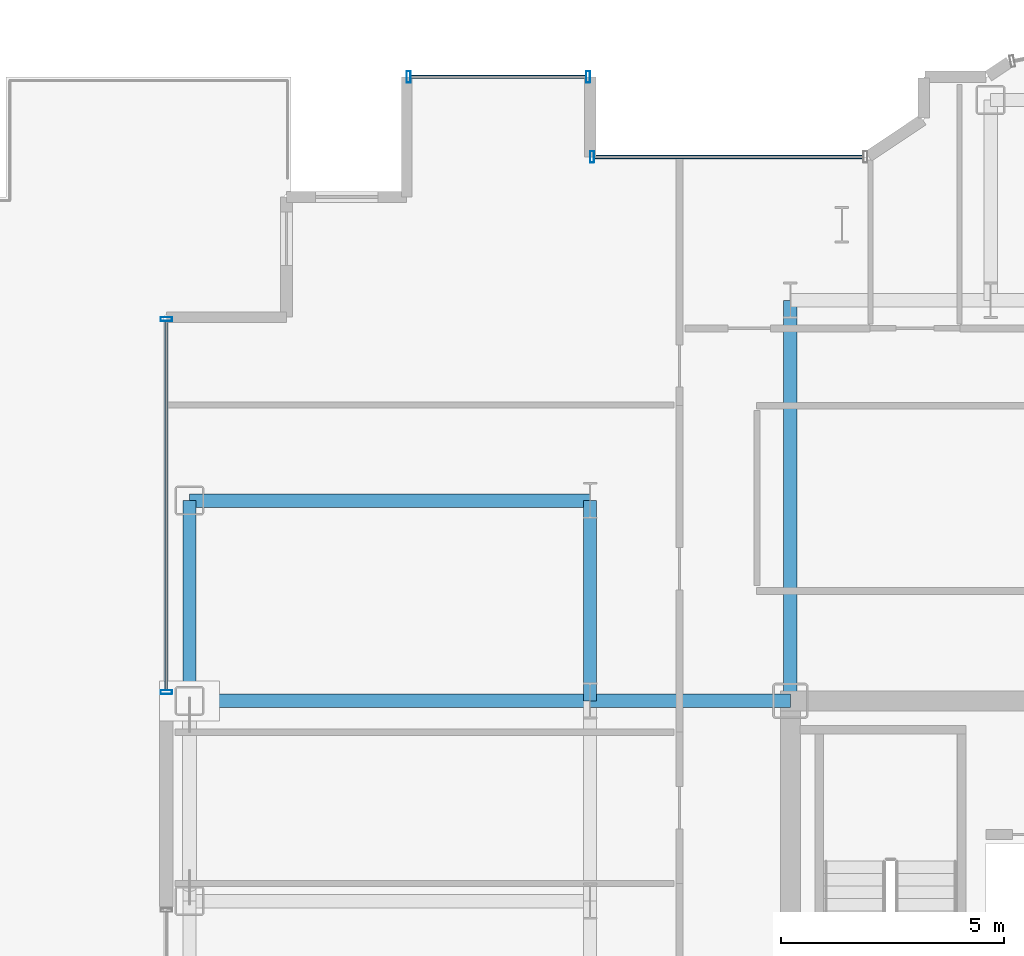
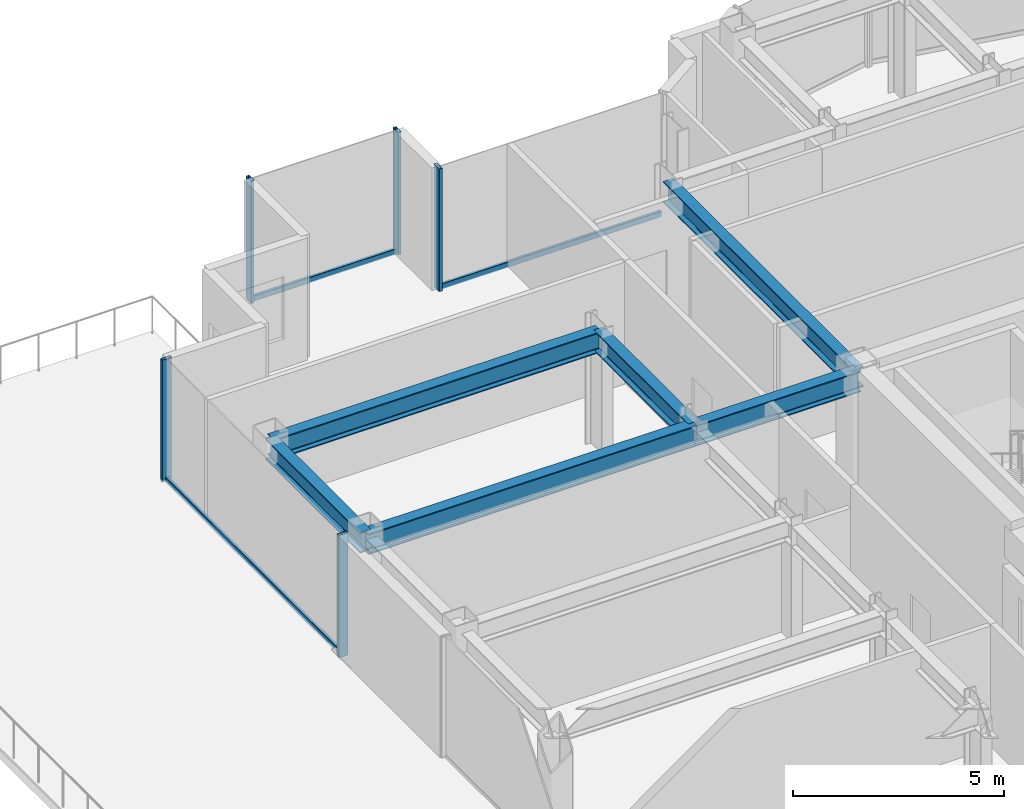
# One storey, part 8 of 21: 8 members, 6 beams, 3 elements without a shape of their own.
"""IFC4 building model written with IfcOpenShell, lengths in metres."""

from ifc_helpers import new_model, si_unit, direction, frame, origin, origin_2d, place, context, subcontext, project, spatial, hollow_rectangle, i_section, extrude, source, transform, mapped, material, layer, layer_set, material_profile, profile_set, type_object, element, aggregate, save


model = new_model("IFC4")

# Units and contexts
model_context = context("Model", 3, precision=1e-05, world=origin(), true_north=direction((0.0, 1.0)))
body_context = subcontext(model_context, "Body", "Model", "MODEL_VIEW")
ifc_project = project(units=[si_unit("LENGTHUNIT", "METRE"), si_unit("AREAUNIT", "SQUARE_METRE"), si_unit("VOLUMEUNIT", "CUBIC_METRE"), si_unit("PLANEANGLEUNIT", "RADIAN"), si_unit("MASSUNIT", "GRAM", prefix="KILO")], contexts=[model_context])

# Site, building, storey
site_placement = place(None, origin())
site = spatial("IfcSite", under=ifc_project, at=site_placement, CompositionType="ELEMENT")
building_placement = place(site_placement, origin())
building = spatial("IfcBuilding", under=site, at=building_placement, Name="Nefas-Gora Pilgrimage Tower", CompositionType="ELEMENT")
storey_placement = place(building_placement, frame((0.0, 0.0, 206.60009765625)))
storey = spatial("IfcBuildingStorey", under=building, at=storey_placement, Name="L51", CompositionType="ELEMENT", Elevation=206.60009765625)

# Beams
ifc_material_1 = material(Name="Steel S355", Category="steel")
ifc_material_profile_1 = material_profile(ifc_material_1, i_section(OverallWidth=0.300048828125, OverallDepth=0.60009765625, WebThickness=0.015380859375, FlangeThickness=0.030029296875, FilletRadius=0.027099609375, at=origin_2d()), Name="HEB 600")
ifc_profile_set_1 = profile_set([ifc_material_profile_1], Name="Steel S355")
beam_type_1 = type_object("IfcBeamType", Name="BM-SPN-HEB450", PredefinedType="SPANDREL", material=ifc_profile_set_1)
shared_shape_1 = source(origin(), body_context, "Body", "SweptSolid", [
    extrude(i_section(OverallWidth=0.300048828125, OverallDepth=0.60009765625, WebThickness=0.015380859375, FlangeThickness=0.030029296875, FilletRadius=0.027099609375, at=origin_2d()), origin(), (0.0, 0.0, 1.0), 4.5),
])
beam_placement = place(storey_placement, frame((-24.75, 9.0, 3.25), z_axis=(0.0, 1.0, 0.0), x_axis=(-1.0, 0.0, 0.0)))
element("IfcBeam", 1, at=beam_placement, inside=storey, type_object=beam_type_1, Name="L51 SP-03 beam", PredefinedType="SPANDREL", context=body_context, shape_type="MappedRepresentation", body=[
    mapped(shared_shape_1, transform((0.0, 0.0, 0.0), x_axis=(1.0, 0.0, 0.0), y_axis=(0.0, 1.0, 0.0), z_axis=(0.0, 0.0, 1.0), scale=1.0)),
])
ifc_material_profile_2 = material_profile(ifc_material_1, i_section(OverallWidth=0.300048828125, OverallDepth=0.60009765625, WebThickness=0.015380859375, FlangeThickness=0.030029296875, FilletRadius=0.027099609375, at=origin_2d()), Name="HEB 600")
ifc_profile_set_2 = profile_set([ifc_material_profile_2], Name="Steel S355")
beam_type_2 = type_object("IfcBeamType", Name="BM-GIR-HEB600", PredefinedType="BEAM", material=ifc_profile_set_2)
shared_shape_2 = source(origin(), body_context, "Body", "SweptSolid", [
    extrude(i_section(OverallWidth=0.300048828125, OverallDepth=0.60009765625, WebThickness=0.015380859375, FlangeThickness=0.030029296875, FilletRadius=0.027099609375, at=origin_2d()), origin(), (0.0, 0.0, 1.0), 9.0),
])
for number, where, z_axis, x_axis, name in (
    (2, (-24.75, 9.0, 3.25), (1.0, 0.0, 0.0), (0.0, 1.0, 0.0), "L51 G-04 beam"),
    (3, (-24.75, 13.5, 3.25), (1.0, 0.0, 0.0), (0.0, 1.0, 0.0), "L51 G-04 beam"),
    (4, (-11.25, 9.0, 3.25), (0.0, 1.0, 0.0), (-1.0, 0.0, 0.0), "L51 G-04 beam"),
):
    element("IfcBeam", number, at=place(storey_placement, frame(where, z_axis=z_axis, x_axis=x_axis)), inside=storey, type_object=beam_type_2, Name=name, PredefinedType="BEAM", context=body_context, shape_type="MappedRepresentation", body=[
        mapped(shared_shape_2, transform((0.0, 0.0, 0.0), x_axis=(1.0, 0.0, 0.0), y_axis=(0.0, 1.0, 0.0), z_axis=(0.0, 0.0, 1.0), scale=1.0)),
    ])
shared_shape_3 = source(origin(), body_context, "Body", "SweptSolid", [
    extrude(i_section(OverallWidth=0.300048828125, OverallDepth=0.60009765625, WebThickness=0.015380859375, FlangeThickness=0.030029296875, FilletRadius=0.027099609375, at=origin_2d()), origin(), (0.0, 0.0, 1.0), 4.5),
])
for number, where, z_axis, x_axis, name in (
    (5, (-15.75, 9.0, 3.25), (0.0, 1.0, 0.0), (-1.0, 0.0, 0.0), "L51 G-04 beam"),
    (6, (-15.75, 9.0, 3.25), (1.0, 0.0, 0.0), (0.0, 1.0, 0.0), "L51 G-04 beam"),
):
    element("IfcBeam", number, at=place(storey_placement, frame(where, z_axis=z_axis, x_axis=x_axis)), inside=storey, type_object=beam_type_2, Name=name, PredefinedType="BEAM", context=body_context, shape_type="MappedRepresentation", body=[
        mapped(shared_shape_3, transform((0.0, 0.0, 0.0), x_axis=(1.0, 0.0, 0.0), y_axis=(0.0, 1.0, 0.0), z_axis=(0.0, 0.0, 1.0), scale=1.0)),
    ])

# Curtain wall, members
ifc_material_2 = material(Name="Dark ceramic-fritted solar-control aluminium-glass curtain wall", Category="aluminium")
ifc_layer_1 = layer(ifc_material_2, 0.219970703125)
ifc_layer_set_1 = layer_set([ifc_layer_1], Name="Dark ceramic-fritted solar-control aluminium-glass curtain wall")
curtain_wall_type_1 = type_object("IfcCurtainWallType", Name="CW-SYS-5", PredefinedType="NOTDEFINED", material=ifc_layer_set_1)
curtain_wall_1_placement = place(storey_placement, origin())
curtain_wall_1 = element("IfcCurtainWall", 7, at=curtain_wall_1_placement, inside=storey, type_object=curtain_wall_type_1, Name="L51 Unitised Curtain Wall CW5", PredefinedType="NOTDEFINED")
ifc_material_3 = material(Name="Anodised architectural aluminium", Category="aluminium")
ifc_material_profile_3 = material_profile(ifc_material_3, hollow_rectangle(XDim=0.080078125, YDim=0.159912109375, WallThickness=0.00439453125, InnerFilletRadius=0.00439453125, OuterFilletRadius=0.009033203125, at=origin_2d()), Name="ALU TRANSOM 80x160")
ifc_profile_set_3 = profile_set([ifc_material_profile_3], Name="Anodised architectural aluminium")
member_type_1 = type_object("IfcMemberType", Name="CWM-TRN-5", PredefinedType="USERDEFINED", material=ifc_profile_set_3)
shared_shape_4 = source(origin(), body_context, "Body", "SweptSolid", [
    extrude(hollow_rectangle(XDim=0.080078125, YDim=0.159912109375, WallThickness=0.00439453125, InnerFilletRadius=0.00439453125, OuterFilletRadius=0.009033203125, at=origin_2d()), origin(), (0.0, 0.0, 1.0), 6.052001953125),
])
member_1_placement = place(storey_placement, frame((-9.60791015625, 21.219970703125, 0.0498046875), z_axis=(-1.0, 0.0, 0.0), x_axis=(0.0, -1.0, 0.0)))
member_1 = element("IfcMember", 8, at=member_1_placement, type_object=member_type_1, Name="CW5 Spandrel Transom", ObjectType="TRANSOM", PredefinedType="USERDEFINED", context=body_context, shape_type="MappedRepresentation", body=[
    mapped(shared_shape_4, transform((0.0, 0.0, 0.0), x_axis=(1.0, 0.0, 0.0), y_axis=(0.0, 1.0, 0.0), z_axis=(0.0, 0.0, 1.0), scale=1.0)),
])
ifc_material_profile_4 = material_profile(ifc_material_3, hollow_rectangle(XDim=0.090087890625, YDim=0.260009765625, WallThickness=0.006103515625, InnerFilletRadius=0.006103515625, OuterFilletRadius=0.011962890625, at=origin_2d()), Name="ALU MULLION 90x260")
ifc_profile_set_4 = profile_set([ifc_material_profile_4], Name="Anodised architectural aluminium")
member_type_2 = type_object("IfcMemberType", Name="CWM-MUL-5", PredefinedType="MULLION", material=ifc_profile_set_4)
shared_shape_5 = source(origin(), body_context, "Body", "SweptSolid", [
    extrude(hollow_rectangle(XDim=0.090087890625, YDim=0.260009765625, WallThickness=0.006103515625, InnerFilletRadius=0.006103515625, OuterFilletRadius=0.011962890625, at=origin_2d()), origin(), (0.0, 0.0, 1.0), 3.5498046875),
])
member_2_placement = place(storey_placement, frame((-15.705078125, 21.219970703125, 0.0), z_axis=(0.0, 0.0, 1.0), x_axis=(-1.0, 0.0, 0.0)))
member_2 = element("IfcMember", 9, at=member_2_placement, type_object=member_type_2, Name="CW5 Mullion 2", PredefinedType="MULLION", context=body_context, shape_type="MappedRepresentation", body=[
    mapped(shared_shape_5, transform((0.0, 0.0, 0.0), x_axis=(1.0, 0.0, 0.0), y_axis=(0.0, 1.0, 0.0), z_axis=(0.0, 0.0, 1.0), scale=1.0)),
])
aggregate(curtain_wall_1, [member_2, member_1])

# Curtain wall, member
ifc_layer_2 = layer(ifc_material_2, 0.219970703125)
ifc_layer_set_2 = layer_set([ifc_layer_2], Name="Dark ceramic-fritted solar-control aluminium-glass curtain wall")
curtain_wall_type_2 = type_object("IfcCurtainWallType", Name="CW-SYS-3", PredefinedType="NOTDEFINED", material=ifc_layer_set_2)
curtain_wall_2_placement = place(storey_placement, origin())
curtain_wall_2 = element("IfcCurtainWall", 10, at=curtain_wall_2_placement, inside=storey, type_object=curtain_wall_type_2, Name="L51 Unitised Curtain Wall CW3", PredefinedType="NOTDEFINED")
ifc_material_profile_5 = material_profile(ifc_material_3, hollow_rectangle(XDim=0.080078125, YDim=0.159912109375, WallThickness=0.00439453125, InnerFilletRadius=0.00439453125, OuterFilletRadius=0.009033203125, at=origin_2d()), Name="ALU TRANSOM 80x160")
ifc_profile_set_5 = profile_set([ifc_material_profile_5], Name="Anodised architectural aluminium")
member_type_3 = type_object("IfcMemberType", Name="CWM-TRN-3", PredefinedType="USERDEFINED", material=ifc_profile_set_5)
shared_shape_6 = source(origin(), body_context, "Body", "SweptSolid", [
    extrude(hollow_rectangle(XDim=0.080078125, YDim=0.159912109375, WallThickness=0.00439453125, InnerFilletRadius=0.00439453125, OuterFilletRadius=0.009033203125, at=origin_2d()), origin(), (0.0, 0.0, 1.0), 8.2900390625),
])
member_3_placement = place(storey_placement, frame((-25.27001953125, 17.530029296875, 0.0498046875), z_axis=(0.0, -1.0, 0.0), x_axis=(1.0, 0.0, 0.0)))
member_3 = element("IfcMember", 11, at=member_3_placement, type_object=member_type_3, Name="CW3 Spandrel Transom", ObjectType="TRANSOM", PredefinedType="USERDEFINED", context=body_context, shape_type="MappedRepresentation", body=[
    mapped(shared_shape_6, transform((0.0, 0.0, 0.0), x_axis=(1.0, 0.0, 0.0), y_axis=(0.0, 1.0, 0.0), z_axis=(0.0, 0.0, 1.0), scale=1.0)),
])

# Curtain wall, members
curtain_wall_3_placement = place(storey_placement, origin())
curtain_wall_3 = element("IfcCurtainWall", 12, at=curtain_wall_3_placement, inside=storey, type_object=curtain_wall_type_2, Name="L51 Unitised Curtain Wall CW3", PredefinedType="NOTDEFINED")
ifc_material_profile_6 = material_profile(ifc_material_3, hollow_rectangle(XDim=0.090087890625, YDim=0.260009765625, WallThickness=0.006103515625, InnerFilletRadius=0.006103515625, OuterFilletRadius=0.011962890625, at=origin_2d()), Name="ALU MULLION 90x260")
ifc_profile_set_6 = profile_set([ifc_material_profile_6], Name="Anodised architectural aluminium")
member_type_4 = type_object("IfcMemberType", Name="CWM-MUL-3", PredefinedType="MULLION", material=ifc_profile_set_6)
shared_shape_7 = source(origin(), body_context, "Body", "SweptSolid", [
    extrude(hollow_rectangle(XDim=0.090087890625, YDim=0.260009765625, WallThickness=0.006103515625, InnerFilletRadius=0.006103515625, OuterFilletRadius=0.011962890625, at=origin_2d()), origin(), (0.0, 0.0, 1.0), 3.5498046875),
])
member_4_placement = place(storey_placement, frame((-15.794921875, 23.02001953125, 0.0), z_axis=(0.0, 0.0, 1.0), x_axis=(-1.0, 0.0, 0.0)))
member_4 = element("IfcMember", 13, at=member_4_placement, type_object=member_type_4, Name="CW3 Mullion 1", PredefinedType="MULLION", context=body_context, shape_type="MappedRepresentation", body=[
    mapped(shared_shape_7, transform((0.0, 0.0, 0.0), x_axis=(1.0, 0.0, 0.0), y_axis=(0.0, 1.0, 0.0), z_axis=(0.0, 0.0, 1.0), scale=1.0)),
])
member_5_placement = place(storey_placement, frame((-19.824951171875, 23.02001953125, 0.0), z_axis=(0.0, 0.0, 1.0), x_axis=(-1.0, 0.0, 0.0)))
member_5 = element("IfcMember", 14, at=member_5_placement, type_object=member_type_4, Name="CW3 Mullion 2", PredefinedType="MULLION", context=body_context, shape_type="MappedRepresentation", body=[
    mapped(shared_shape_7, transform((0.0, 0.0, 0.0), x_axis=(1.0, 0.0, 0.0), y_axis=(0.0, 1.0, 0.0), z_axis=(0.0, 0.0, 1.0), scale=1.0)),
])

# Member
member_6_placement = place(storey_placement, frame((-25.27001953125, 17.574951171875, 0.0), z_axis=(0.0, 0.0, 1.0), x_axis=(0.0, -1.0, 0.0)))
member_6 = element("IfcMember", 15, at=member_6_placement, type_object=member_type_4, Name="CW3 Mullion 1", PredefinedType="MULLION", context=body_context, shape_type="MappedRepresentation", body=[
    mapped(shared_shape_7, transform((0.0, 0.0, 0.0), x_axis=(1.0, 0.0, 0.0), y_axis=(0.0, 1.0, 0.0), z_axis=(0.0, 0.0, 1.0), scale=1.0)),
])

member_7_placement = place(storey_placement, frame((-25.27001953125, 9.195068359375, 0.0), z_axis=(0.0, 0.0, 1.0), x_axis=(0.0, -1.0, 0.0)))
member_7 = element("IfcMember", 16, at=member_7_placement, type_object=member_type_4, Name="CW3 Mullion 2", PredefinedType="MULLION", context=body_context, shape_type="MappedRepresentation", body=[
    mapped(shared_shape_7, transform((0.0, 0.0, 0.0), x_axis=(1.0, 0.0, 0.0), y_axis=(0.0, 1.0, 0.0), z_axis=(0.0, 0.0, 1.0), scale=1.0)),
])

aggregate(curtain_wall_2, [member_6, member_7, member_3])

shared_shape_8 = source(origin(), body_context, "Body", "SweptSolid", [
    extrude(hollow_rectangle(XDim=0.080078125, YDim=0.159912109375, WallThickness=0.00439453125, InnerFilletRadius=0.00439453125, OuterFilletRadius=0.009033203125, at=origin_2d()), origin(), (0.0, 0.0, 1.0), 3.93994140625),
])
member_8_placement = place(storey_placement, frame((-15.840087890625, 23.02001953125, 0.0498046875), z_axis=(-1.0, 0.0, 0.0), x_axis=(0.0, -1.0, 0.0)))
member_8 = element("IfcMember", 17, at=member_8_placement, type_object=member_type_3, Name="CW3 Spandrel Transom", ObjectType="TRANSOM", PredefinedType="USERDEFINED", context=body_context, shape_type="MappedRepresentation", body=[
    mapped(shared_shape_8, transform((0.0, 0.0, 0.0), x_axis=(1.0, 0.0, 0.0), y_axis=(0.0, 1.0, 0.0), z_axis=(0.0, 0.0, 1.0), scale=1.0)),
])

aggregate(curtain_wall_3, [member_4, member_5, member_8])

save(model, "model.ifc")
